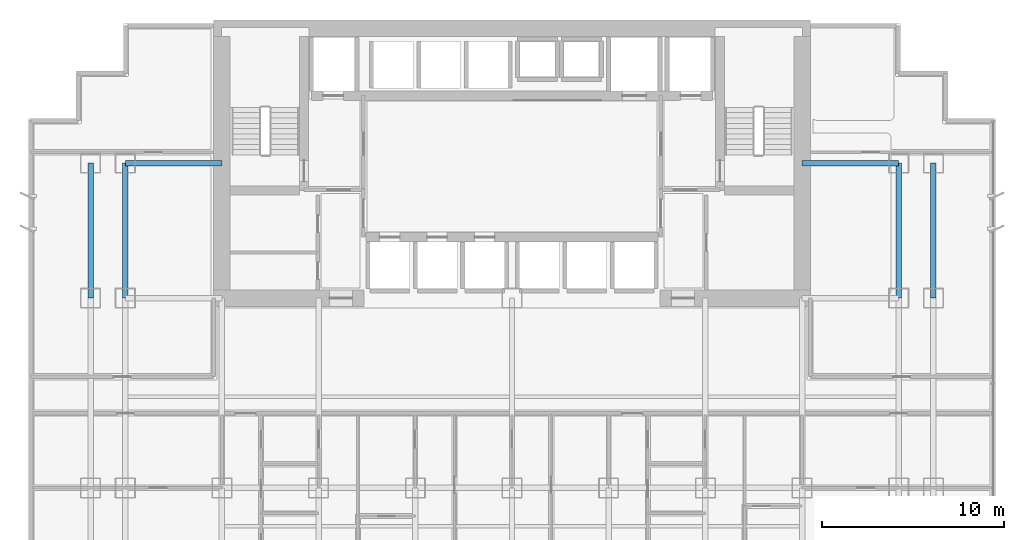
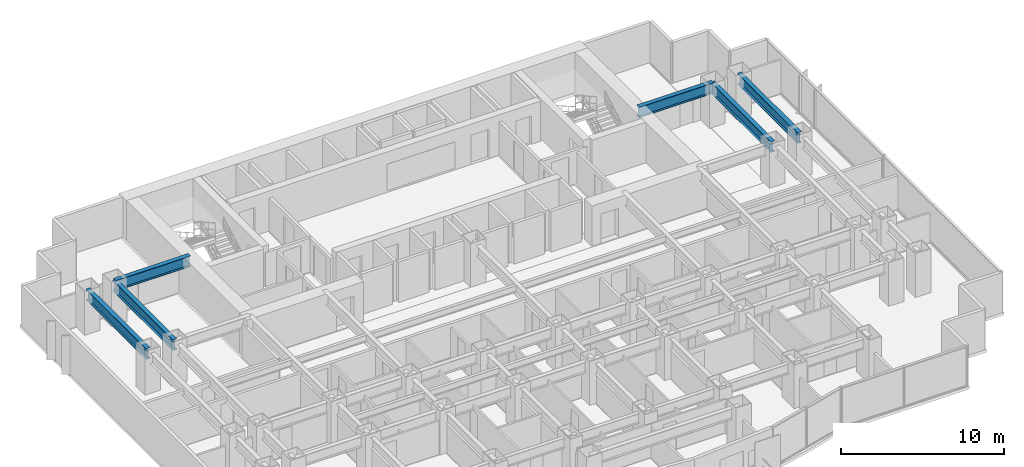
# One storey, part 4 of 12: 6 beams.
"""IFC4 building model written with IfcOpenShell, lengths in metres."""

from ifc_helpers import new_model, si_unit, direction, frame, origin, origin_2d, place, context, subcontext, project, spatial, i_section, extrude, material, material_profile, profile_set, type_object, element, save


model = new_model("IFC4")

# Units and contexts
model_context = context("Model", 3, precision=1e-05, world=origin(), true_north=direction((0.0, 1.0)))
body_context = subcontext(model_context, "Body", "Model", "MODEL_VIEW")
ifc_project = project(units=[si_unit("LENGTHUNIT", "METRE"), si_unit("AREAUNIT", "SQUARE_METRE"), si_unit("VOLUMEUNIT", "CUBIC_METRE"), si_unit("PLANEANGLEUNIT", "RADIAN"), si_unit("MASSUNIT", "GRAM", prefix="KILO")], contexts=[model_context])

# Site, building, storey
site_placement = place(None, origin())
site = spatial("IfcSite", under=ifc_project, at=site_placement, CompositionType="ELEMENT")
building_placement = place(site_placement, origin())
building = spatial("IfcBuilding", under=site, at=building_placement, Name="Qianlan Lanfeng Residences", CompositionType="ELEMENT")
storey_placement = place(building_placement, frame((0.0, 0.0, 67.10009765625)))
storey = spatial("IfcBuildingStorey", under=building, at=storey_placement, Name="L18", CompositionType="ELEMENT", Elevation=67.10009765625)

# Beams
ifc_material = material(Name="Steel SN490B", Category="steel")
ifc_material_profile = material_profile(ifc_material, i_section(OverallWidth=0.300048828125, OverallDepth=0.800048828125, WebThickness=0.01611328125, FlangeThickness=0.028076171875, at=origin_2d()), Name="H 800x300x16x28")
ifc_profile_set = profile_set([ifc_material_profile], Name="Steel SN490B")
beam_type = type_object("IfcBeamType", Name="G-950", PredefinedType="BEAM", material=ifc_profile_set)
for number, where, z_axis, x_axis, name in (
    (1, (5.300048828125, 32.60009765625, 2.6298828125), (1.0, 0.0, 0.0), (0.0, 1.0, 0.0), "Structural beam G-950"),
    (2, (42.39990234375, 32.60009765625, 2.6298828125), (1.0, 0.0, 0.0), (0.0, 1.0, 0.0), "Structural beam G-950"),
):
    element("IfcBeam", number, at=place(storey_placement, frame(where, z_axis=z_axis, x_axis=x_axis)), inside=storey, type_object=beam_type, Name=name, PredefinedType="BEAM", context=body_context, shape_type="SweptSolid", body=[
        extrude(i_section(OverallWidth=0.300048828125, OverallDepth=0.800048828125, WebThickness=0.01611328125, FlangeThickness=0.028076171875, at=origin_2d()), origin(), (0.0, 0.0, 1.0), 5.300048828125),
    ])
for number, where, z_axis, x_axis, name in (
    (3, (3.39990234375, 25.199951171875, 2.6298828125), (0.0, 1.0, 0.0), (-1.0, 0.0, 0.0), "Structural beam G-950"),
    (4, (5.300048828125, 25.199951171875, 2.6298828125), (0.0, 1.0, 0.0), (-1.0, 0.0, 0.0), "Structural beam G-950"),
    (5, (47.699951171875, 25.199951171875, 2.6298828125), (0.0, 1.0, 0.0), (-1.0, 0.0, 0.0), "Structural beam G-950"),
    (6, (49.60009765625, 25.199951171875, 2.6298828125), (0.0, 1.0, 0.0), (-1.0, 0.0, 0.0), "Structural beam G-950"),
):
    element("IfcBeam", number, at=place(storey_placement, frame(where, z_axis=z_axis, x_axis=x_axis)), inside=storey, type_object=beam_type, Name=name, PredefinedType="BEAM", context=body_context, shape_type="SweptSolid", body=[
        extrude(i_section(OverallWidth=0.300048828125, OverallDepth=0.800048828125, WebThickness=0.01611328125, FlangeThickness=0.028076171875, at=origin_2d()), origin(), (0.0, 0.0, 1.0), 7.400146484375),
    ])

save(model, "model.ifc")
